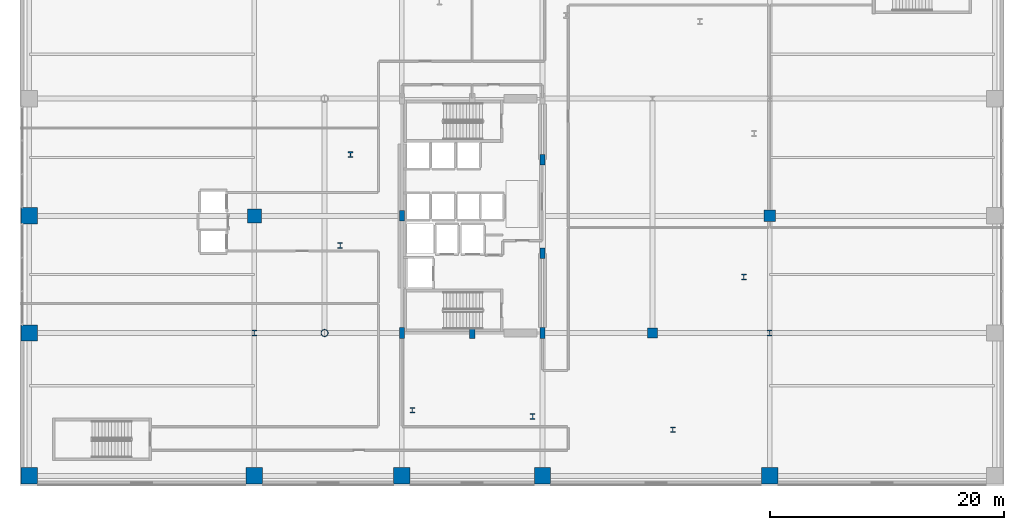
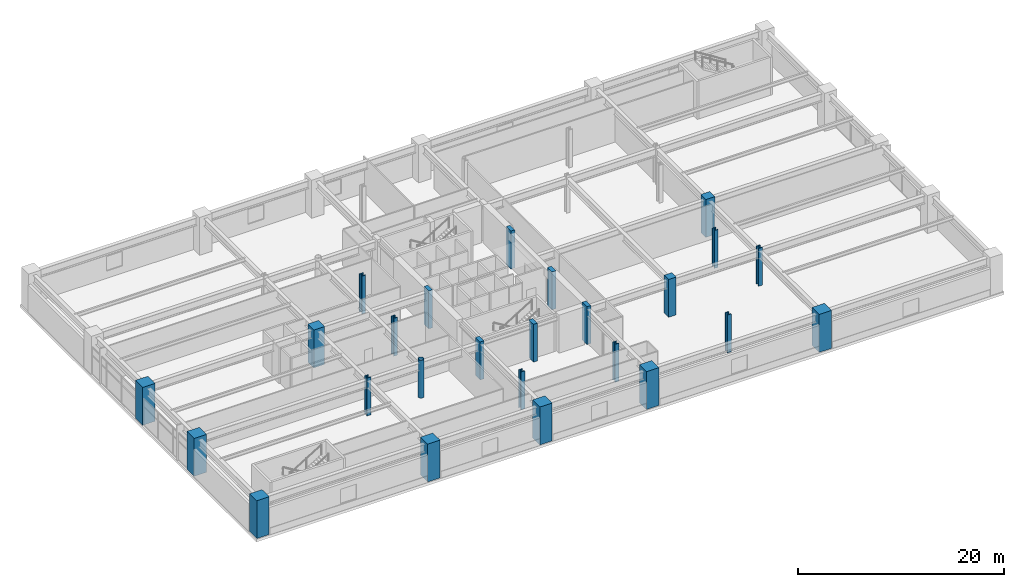
# One storey, part 1 of 28: 25 columns.
"""IFC4 building model written with IfcOpenShell, lengths in metres."""

from ifc_helpers import new_model, si_unit, direction, frame, origin, origin_2d, place, context, subcontext, project, spatial, rectangle, hollow_circle, i_section, extrude, material, material_profile, profile_set, type_object, element, save


model = new_model("IFC4")

# Units and contexts
model_context = context("Model", 3, precision=1e-05, world=origin(), true_north=direction((0.0, 1.0)))
body_context = subcontext(model_context, "Body", "Model", "MODEL_VIEW")
ifc_project = project(units=[si_unit("LENGTHUNIT", "METRE"), si_unit("AREAUNIT", "SQUARE_METRE"), si_unit("VOLUMEUNIT", "CUBIC_METRE"), si_unit("PLANEANGLEUNIT", "RADIAN"), si_unit("MASSUNIT", "GRAM", prefix="KILO")], contexts=[model_context])

# Site, building, storey
site_placement = place(None, origin())
site = spatial("IfcSite", under=ifc_project, at=site_placement, CompositionType="ELEMENT")
building_placement = place(site_placement, origin())
building = spatial("IfcBuilding", under=site, at=building_placement, Name="Soratama Intermodal Tower", CompositionType="ELEMENT")
storey_placement = place(building_placement, frame((0.0, 0.0, 20.699951171875)))
storey = spatial("IfcBuildingStorey", under=building, at=storey_placement, Name="L04", CompositionType="ELEMENT", Elevation=20.699951171875)

# Columns
ifc_material_1 = material(Name="Concrete f'c 56 MPa", Category="concrete")
ifc_material_profile_1 = material_profile(ifc_material_1, rectangle(XDim=1.39990234375, YDim=1.39990234375, at=origin_2d()), Name="RC1400X1400")
ifc_profile_set_1 = profile_set([ifc_material_profile_1], Name="Concrete f'c 56 MPa")
column_type_1 = type_object("IfcColumnType", Name="COL-POD-EXT-RC1400", PredefinedType="COLUMN", material=ifc_profile_set_1)
for number, where, z_axis, x_axis, name in (
    (1, (0.800048828125, 2.800048828125, 0.0), (0.0, 0.0, 1.0), (1.0, 0.0, 0.0), "L04 Station Column P01"),
    (2, (20.0, 2.800048828125, 0.0), (0.0, 0.0, 1.0), (1.0, 0.0, 0.0), "L04 Station Column P02"),
    (3, (64.0, 2.800048828125, 0.0), (0.0, 0.0, 1.0), (1.0, 0.0, 0.0), "L04 Station Column P03"),
    (4, (0.800048828125, 15.0, 0.0), (0.0, 0.0, 1.0), (1.0, 0.0, 0.0), "L04 Station Column P05"),
    (5, (0.800048828125, 25.0, 0.0), (0.0, 0.0, 1.0), (1.0, 0.0, 0.0), "L04 Station Column P17"),
    (6, (32.60009765625, 2.800048828125, 0.0), (0.0, 0.0, 1.0), (1.0, 0.0, 0.0), "L04 Station Column P21"),
    (7, (44.60009765625, 2.800048828125, 0.0), (0.0, 0.0, 1.0), (1.0, 0.0, 0.0), "L04 Station Column P22"),
):
    element("IfcColumn", number, at=place(storey_placement, frame(where, z_axis=z_axis, x_axis=x_axis)), inside=storey, type_object=column_type_1, Name=name, PredefinedType="COLUMN", context=body_context, shape_type="SweptSolid", body=[
        extrude(rectangle(XDim=1.39990234375, YDim=1.39990234375, at=origin_2d()), origin(), (0.0, 0.0, 1.0), 4.5),
    ])
ifc_material_2 = material(Name="Concrete f'c 56 MPa", Category="concrete")
ifc_material_profile_2 = material_profile(ifc_material_2, rectangle(XDim=1.0, YDim=1.0, at=origin_2d()), Name="RC1000X1000")
ifc_profile_set_2 = profile_set([ifc_material_profile_2], Name="Concrete f'c 56 MPa")
column_type_2 = type_object("IfcColumnType", Name="COL-POD-RC1000", PredefinedType="COLUMN", material=ifc_profile_set_2)
column_1_placement = place(storey_placement, frame((64.0, 25.0, 0.0), z_axis=(0.0, 0.0, 1.0), x_axis=(1.0, 0.0, 0.0)))
element("IfcColumn", 8, at=column_1_placement, inside=storey, type_object=column_type_2, Name="L04 Station Column P19", PredefinedType="COLUMN", context=body_context, shape_type="SweptSolid", body=[
    extrude(rectangle(XDim=1.0, YDim=1.0, at=origin_2d()), origin(), (0.0, 0.0, 1.0), 4.5),
])
ifc_material_3 = material(Name="Concrete f'c 56 MPa", Category="concrete")
ifc_material_profile_3 = material_profile(ifc_material_3, rectangle(XDim=1.199951171875, YDim=1.199951171875, at=origin_2d()), Name="RC1200X1200")
ifc_profile_set_3 = profile_set([ifc_material_profile_3], Name="Concrete f'c 56 MPa")
column_type_3 = type_object("IfcColumnType", Name="COL-POD-RC1200", PredefinedType="COLUMN", material=ifc_profile_set_3)
column_2_placement = place(storey_placement, frame((20.0, 25.0, 0.0), z_axis=(0.0, 0.0, 1.0), x_axis=(1.0, 0.0, 0.0)))
element("IfcColumn", 9, at=column_2_placement, inside=storey, type_object=column_type_3, Name="L04 Station Column P18", PredefinedType="COLUMN", context=body_context, shape_type="SweptSolid", body=[
    extrude(rectangle(XDim=1.199951171875, YDim=1.199951171875, at=origin_2d()), origin(), (0.0, 0.0, 1.0), 4.5),
])
ifc_material_4 = material(Name="Concrete f'c 56 MPa", Category="concrete")
ifc_material_profile_4 = material_profile(ifc_material_4, rectangle(XDim=0.85009765625, YDim=0.85009765625, at=origin_2d()), Name="RC850X850")
ifc_profile_set_4 = profile_set([ifc_material_profile_4], Name="Concrete f'c 56 MPa")
column_type_4 = type_object("IfcColumnType", Name="COL-POD-RC850", PredefinedType="COLUMN", material=ifc_profile_set_4)
column_3_placement = place(storey_placement, frame((54.0, 15.0, 0.0), z_axis=(0.0, 0.0, 1.0), x_axis=(1.0, 0.0, 0.0)))
element("IfcColumn", 10, at=column_3_placement, inside=storey, type_object=column_type_4, Name="L04 Station Column P25", PredefinedType="COLUMN", context=body_context, shape_type="SweptSolid", body=[
    extrude(rectangle(XDim=0.85009765625, YDim=0.85009765625, at=origin_2d()), origin(), (0.0, 0.0, 1.0), 4.5),
])
ifc_material_5 = material(Name="Structural steel ASTM A992 Grade 50", Category="steel")
ifc_material_profile_5 = material_profile(ifc_material_5, i_section(OverallWidth=0.431884765625, OverallDepth=0.498046875, WebThickness=0.0556640625, FlangeThickness=0.0888671875, FilletRadius=0.0380859375, at=origin_2d()), Name="W14X500")
ifc_profile_set_5 = profile_set([ifc_material_profile_5], Name="Structural steel ASTM A992 Grade 50")
column_type_5 = type_object("IfcColumnType", Name="COL-POD-W14X500", PredefinedType="COLUMN", material=ifc_profile_set_5)
for number, where, z_axis, x_axis, name in (
    (11, (20.0, 15.0, 0.0), (0.0, 0.0, 1.0), (1.0, 0.0, 0.0), "L04 Station Column P06"),
    (12, (64.0, 15.0, 0.0), (0.0, 0.0, 1.0), (1.0, 0.0, 0.0), "L04 Station Column P07"),
    (13, (28.208984375, 30.22705078125, 0.0), (0.0, 0.0, 1.0), (1.0, 0.0, 0.0), "L04 Station Column P33"),
    (14, (27.3310546875, 22.47509765625, 0.0), (0.0, 0.0, 1.0), (1.0, 0.0, 0.0), "L04 Station Column P34"),
    (15, (33.498046875, 8.405029296875, 0.0), (0.0, 0.0, 1.0), (1.0, 0.0, 0.0), "L04 Station Column P35"),
    (16, (43.759033203125, 7.883056640625, 0.0), (0.0, 0.0, 1.0), (1.0, 0.0, 0.0), "L04 Station Column P36"),
    (17, (55.73388671875, 6.735107421875, 0.0), (0.0, 0.0, 1.0), (1.0, 0.0, 0.0), "L04 Station Column P37"),
    (18, (61.791015625, 19.77294921875, 0.0), (0.0, 0.0, 1.0), (1.0, 0.0, 0.0), "L04 Station Column P38"),
):
    element("IfcColumn", number, at=place(storey_placement, frame(where, z_axis=z_axis, x_axis=x_axis)), inside=storey, type_object=column_type_5, Name=name, PredefinedType="COLUMN", context=body_context, shape_type="SweptSolid", body=[
        extrude(i_section(OverallWidth=0.431884765625, OverallDepth=0.498046875, WebThickness=0.0556640625, FlangeThickness=0.0888671875, FilletRadius=0.0380859375, at=origin_2d()), origin(), (0.0, 0.0, 1.0), 4.5),
    ])
ifc_material_6 = material(Name="Structural steel ASTM A500 Grade C", Category="steel")
ifc_material_profile_6 = material_profile(ifc_material_6, hollow_circle(Radius=0.304931640625, WallThickness=0.02197265625, at=origin_2d()), Name="CHS610X22")
ifc_profile_set_6 = profile_set([ifc_material_profile_6], Name="Structural steel ASTM A500 Grade C")
column_type_6 = type_object("IfcColumnType", Name="COL-POOL-CHS610", PredefinedType="COLUMN", material=ifc_profile_set_6)
column_4_placement = place(storey_placement, frame((26.0, 15.0, 0.0), z_axis=(0.0, 0.0, 1.0), x_axis=(1.0, 0.0, 0.0)))
element("IfcColumn", 19, at=column_4_placement, inside=storey, type_object=column_type_6, Name="L04 Station Column P27", PredefinedType="COLUMN", context=body_context, shape_type="SweptSolid", body=[
    extrude(hollow_circle(Radius=0.304931640625, WallThickness=0.02197265625, at=origin_2d()), origin(), (0.0, 0.0, 1.0), 4.5),
])
ifc_material_7 = material(Name="Concrete f'c 56 MPa", Category="concrete")
ifc_material_profile_7 = material_profile(ifc_material_7, rectangle(XDim=0.449951171875, YDim=0.89990234375, at=origin_2d()), Name="RC450X900")
ifc_profile_set_7 = profile_set([ifc_material_profile_7], Name="Concrete f'c 56 MPa")
column_type_7 = type_object("IfcColumnType", Name="PIL-CORE-450X900", PredefinedType="PILASTER", material=ifc_profile_set_7)
for number, where, z_axis, x_axis, name in (
    (20, (32.60009765625, 15.0, 0.0), (0.0, 0.0, 1.0), (1.0, 0.0, 0.0), "L04 Core Pilaster 1"),
    (21, (32.60009765625, 25.0, 0.0), (0.0, 0.0, 1.0), (1.0, 0.0, 0.0), "L04 Core Pilaster 2"),
    (22, (38.60009765625, 15.0, 0.0), (0.0, 0.0, 1.0), (1.0, 0.0, 0.0), "L04 Core Pilaster 4"),
    (23, (44.60009765625, 15.0, 0.0), (0.0, 0.0, 1.0), (1.0, 0.0, 0.0), "L04 Core Pilaster 6"),
    (24, (44.60009765625, 21.800048828125, 0.0), (0.0, 0.0, 1.0), (1.0, 0.0, 0.0), "L04 Core Pilaster 7"),
    (25, (44.60009765625, 29.800048828125, 0.0), (0.0, 0.0, 1.0), (1.0, 0.0, 0.0), "L04 Core Pilaster 8"),
):
    element("IfcColumn", number, at=place(storey_placement, frame(where, z_axis=z_axis, x_axis=x_axis)), inside=storey, type_object=column_type_7, Name=name, PredefinedType="PILASTER", context=body_context, shape_type="SweptSolid", body=[
        extrude(rectangle(XDim=0.449951171875, YDim=0.89990234375, at=origin_2d()), origin(), (0.0, 0.0, 1.0), 4.5),
    ])

save(model, "model.ifc")
